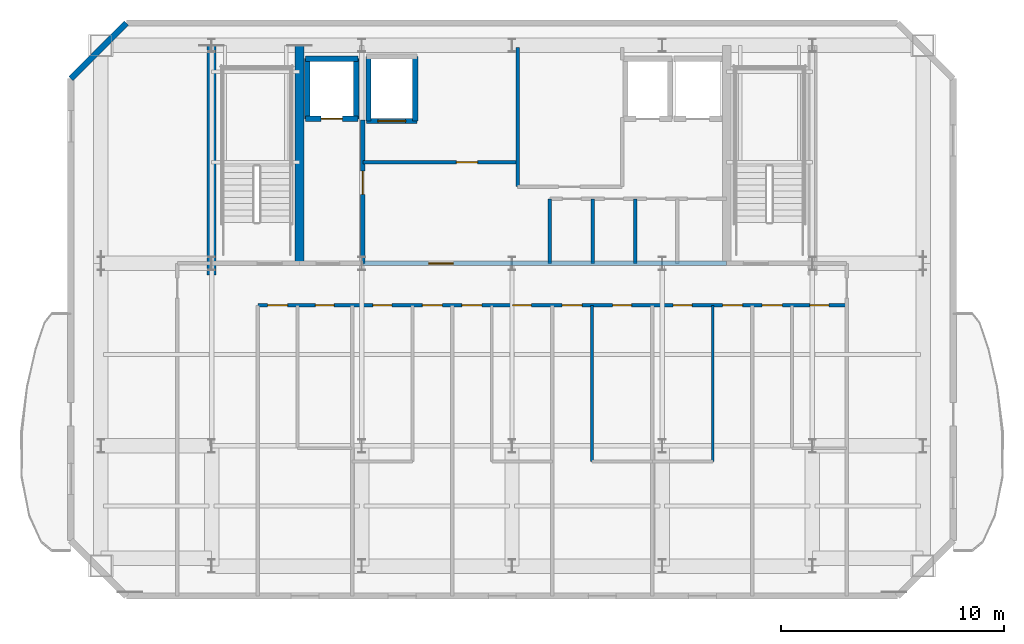
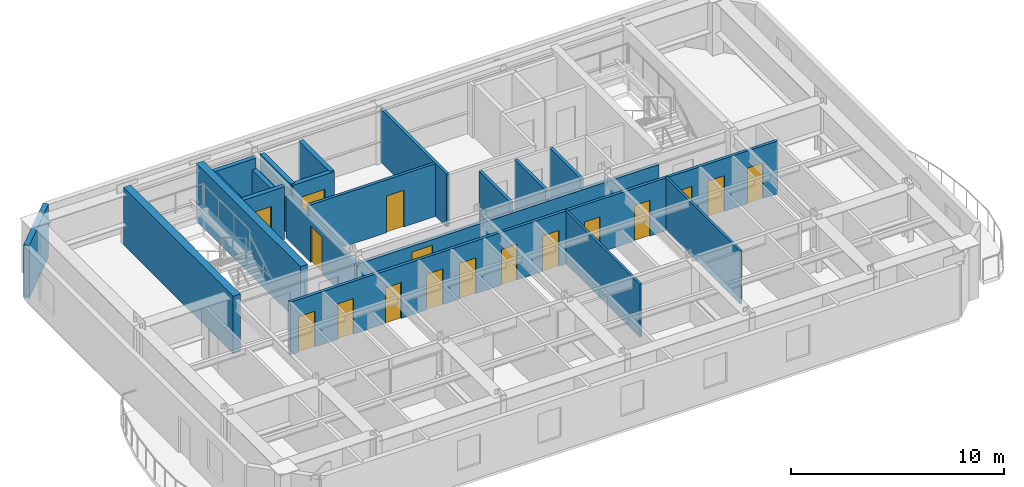
# One storey, part 3 of 6: 20 walls, 17 doors, 17 openings.
"""IFC4 building model written with IfcOpenShell, lengths in metres."""

from ifc_helpers import new_model, si_unit, direction, frame, frame_2d, origin, place, context, subcontext, project, spatial, rectangle, extrude, material, layer, layer_set, type_object, element, fill, save


model = new_model("IFC4")

# Units and contexts
model_context = context("Model", 3, precision=1e-05, world=origin(), true_north=direction((0.0, 1.0)))
body_context = subcontext(model_context, "Body", "Model", "MODEL_VIEW")
ifc_project = project(units=[si_unit("LENGTHUNIT", "METRE"), si_unit("AREAUNIT", "SQUARE_METRE"), si_unit("VOLUMEUNIT", "CUBIC_METRE"), si_unit("PLANEANGLEUNIT", "RADIAN"), si_unit("MASSUNIT", "GRAM", prefix="KILO")], contexts=[model_context])

# Site, building, storey
site_placement = place(None, origin())
site = spatial("IfcSite", under=ifc_project, at=site_placement, CompositionType="ELEMENT")
building_placement = place(site_placement, origin())
building = spatial("IfcBuilding", under=site, at=building_placement, Name="Haevon Station Towers", CompositionType="ELEMENT")
storey_placement = place(building_placement, frame((0.0, 0.0, 255.89990234375)))
storey = spatial("IfcBuildingStorey", under=building, at=storey_placement, Name="L71", CompositionType="ELEMENT", Elevation=255.89990234375)

# Wall, opening, door
ifc_material_1 = material(Name="Gypsum board on steel stud", Category="steel")
ifc_layer_1 = layer(ifc_material_1, 0.199951171875)
ifc_layer_set_1 = layer_set([ifc_layer_1], Name="Gypsum board on steel stud")
wall_type_1 = type_object("IfcWallType", Name="WL-COR200", PredefinedType="PARTITIONING", material=ifc_layer_set_1)
wall_1_placement = place(storey_placement, frame((30.800048828125, 38.199951171875, 0.0), z_axis=(0.0, 0.0, 1.0), x_axis=(0.0, 1.0, 0.0)))
wall_1 = element("IfcWall", 1, at=wall_1_placement, inside=storey, type_object=wall_type_1, Name="WL-T1FFL-L71-E", PredefinedType="PARTITIONING", context=body_context, shape_type="SweptSolid", body=[
    extrude(rectangle(XDim=6.449951171875, YDim=0.199951171875, at=frame_2d((3.22509765625, 0.0))), origin(), (0.0, 0.0, 1.0), 2.43017578125),
])
opening_1_placement = place(wall_1_placement, frame((3.10009765625, 0.0, 0.0)))
opening_1 = element("IfcOpeningElement", 2, at=opening_1_placement, cuts=wall_1, Name="Opening DR-T1FFL-L71-E", PredefinedType="OPENING", context=body_context, shape_type="SweptSolid", body=[
    extrude(rectangle(XDim=1.050048828125, YDim=2.10009765625, at=frame_2d((0.52490234375, 1.050048828125))), frame((0.0, 0.10986328125, 0.0), z_axis=(0.0, -1.0, 0.0), x_axis=(1.0, 0.0, 0.0)), (0.0, 0.0, 1.0), 0.219970703125),
])
ifc_material_2 = material(Name="Engineered oak timber", Category="wood")
door_type_1 = type_object("IfcDoorType", Name="DR-FD60-1050", OperationType="NOTDEFINED", PredefinedType="DOOR", material=ifc_material_2)
door_1_placement = place(opening_1_placement, origin())
door_1 = element("IfcDoor", 3, at=door_1_placement, inside=storey, type_object=door_type_1, Name="L71 Tower 1 Firefighting Lift Lobby Door E", OperationType="SINGLE_SWING_LEFT", OverallHeight=2.10009765625, OverallWidth=1.050048828125, PredefinedType="DOOR", context=body_context, shape_type="SweptSolid", body=[
    extrude(rectangle(XDim=1.050048828125, YDim=2.10009765625, at=frame_2d((0.52490234375, 1.050048828125))), frame((0.0, 0.02490234375, 0.0), z_axis=(0.0, -1.0, 0.0), x_axis=(1.0, 0.0, 0.0)), (0.0, 0.0, 1.0), 0.050048828125),
])
fill(opening_1, door_1)

wall_2_placement = place(storey_placement, frame((30.800048828125, 38.199951171875, 0.0), z_axis=(0.0, 0.0, 1.0), x_axis=(1.0, 0.0, 0.0)))
wall_2 = element("IfcWall", 4, at=wall_2_placement, inside=storey, type_object=wall_type_1, Name="WL-T1CLB-L71", PredefinedType="PARTITIONING", context=body_context, shape_type="SweptSolid", body=[
    extrude(rectangle(XDim=16.349853515625, YDim=0.199951171875, at=frame_2d((8.1748046875, 0.0))), origin(), (0.0, 0.0, 1.0), 2.43017578125),
])
opening_2_placement = place(wall_2_placement, frame((2.949951171875, 0.0, 0.0)))
opening_2 = element("IfcOpeningElement", 5, at=opening_2_placement, cuts=wall_2, Name="Opening DR-T1CLB-L71-1", PredefinedType="OPENING", context=body_context, shape_type="SweptSolid", body=[
    extrude(rectangle(XDim=1.1201171875, YDim=2.10009765625, at=frame_2d((0.56005859375, 1.050048828125))), frame((0.0, 0.10986328125, 0.0), z_axis=(0.0, -1.0, 0.0), x_axis=(1.0, 0.0, 0.0)), (0.0, 0.0, 1.0), 0.219970703125),
])
door_type_2 = type_object("IfcDoorType", Name="DR-ST-1120", OperationType="NOTDEFINED", PredefinedType="DOOR", material=ifc_material_2)
door_2_placement = place(opening_2_placement, origin())
door_2 = element("IfcDoor", 6, at=door_2_placement, inside=storey, type_object=door_type_2, Name="L71 Tower 1 Core Lift Lobby Door 1", OperationType="SINGLE_SWING_LEFT", OverallHeight=2.10009765625, OverallWidth=1.1201171875, PredefinedType="DOOR", context=body_context, shape_type="SweptSolid", body=[
    extrude(rectangle(XDim=1.1201171875, YDim=2.10009765625, at=frame_2d((0.56005859375, 1.050048828125))), frame((0.0, 0.02490234375, 0.0), z_axis=(0.0, -1.0, 0.0), x_axis=(1.0, 0.0, 0.0)), (0.0, 0.0, 1.0), 0.050048828125),
])
fill(opening_2, door_2)

# Walls
ifc_material_3 = material(Name="Concrete C60/75", Category="concrete")
ifc_layer_2 = layer(ifc_material_3, 0.39990234375)
ifc_layer_set_2 = layer_set([ifc_layer_2], Name="Concrete C60/75")
wall_type_2 = type_object("IfcWallType", Name="WL-CR400", PredefinedType="SHEAR", material=ifc_layer_set_2)
wall_3_placement = place(storey_placement, frame((24.0, 37.679931640625, 0.0), z_axis=(0.0, 0.0, 1.0), x_axis=(0.0, 1.0, 0.0)))
element("IfcWall", 7, at=wall_3_placement, inside=storey, type_object=wall_type_2, Name="WL-T1CR-L71-W", PredefinedType="SHEAR", context=body_context, shape_type="SweptSolid", body=[
    extrude(rectangle(XDim=10.320068359375, YDim=0.39990234375, at=frame_2d((5.16015625, 0.0))), origin(), (0.0, 0.0, 1.0), 3.300048828125),
])
wall_4_placement = place(storey_placement, frame((27.949951171875, 38.199951171875, 0.0), z_axis=(0.0, 0.0, 1.0), x_axis=(0.0, 1.0, 0.0)))
element("IfcWall", 8, at=wall_4_placement, inside=storey, type_object=wall_type_2, Name="WL-T1CR-L71-M1", PredefinedType="SHEAR", context=body_context, shape_type="SweptSolid", body=[
    extrude(rectangle(XDim=9.800048828125, YDim=0.39990234375, at=frame_2d((4.89990234375, 0.0))), origin(), (0.0, 0.0, 1.0), 3.300048828125),
])
ifc_material_4 = material(Name="Precast concrete C45/55", Category="concrete")
ifc_layer_3 = layer(ifc_material_4, 0.280029296875)
ifc_layer_set_3 = layer_set([ifc_layer_3], Name="Precast concrete C45/55")
wall_type_3 = type_object("IfcWallType", Name="WL-EXT-PIER280", PredefinedType="SOLIDWALL", material=ifc_layer_set_3)
wall_5_placement = place(storey_placement, frame((17.675048828125, 46.5, 0.0), z_axis=(0.0, 0.0, 1.0), x_axis=(0.707106781187, 0.707106781187, 0.0)))
element("IfcWall", 9, at=wall_5_placement, inside=storey, type_object=wall_type_3, Name="WL-T1-L71-NWC", PredefinedType="SOLIDWALL", context=body_context, shape_type="SweptSolid", body=[
    extrude(rectangle(XDim=3.53564453125, YDim=0.280029296875, at=frame_2d((1.767822265625, 0.0))), origin(), (0.0, 0.0, 1.0), 3.030029296875),
])
ifc_layer_4 = layer(ifc_material_1, 0.125)
ifc_layer_set_4 = layer_set([ifc_layer_4], Name="Gypsum board on steel stud")
wall_type_4 = type_object("IfcWallType", Name="WL-PRT125", PredefinedType="PARTITIONING", material=ifc_layer_set_4)
wall_6_placement = place(storey_placement, frame((41.089111328125, 29.29638671875, 0.0), z_axis=(0.0, 0.0, 1.0), x_axis=(0.0, 1.0, 0.0)))
element("IfcWall", 10, at=wall_6_placement, inside=storey, type_object=wall_type_4, Name="WL-T1PT-L71-16", PredefinedType="PARTITIONING", context=body_context, shape_type="SweptSolid", body=[
    extrude(rectangle(XDim=7.023681640625, YDim=0.125, at=frame_2d((3.51171875, 0.0))), origin(), (0.0, 0.0, 1.0), 3.030029296875),
])
wall_7_placement = place(storey_placement, frame((46.524658203125, 29.296630859375, 0.0), z_axis=(0.0, 0.0, 1.0), x_axis=(0.0, 1.0, 0.0)))
element("IfcWall", 11, at=wall_7_placement, inside=storey, type_object=wall_type_4, Name="WL-T1PT-L71-19", PredefinedType="PARTITIONING", context=body_context, shape_type="SweptSolid", body=[
    extrude(rectangle(XDim=7.0234375, YDim=0.125, at=frame_2d((3.51171875, 0.0))), origin(), (0.0, 0.0, 1.0), 3.030029296875),
])

# Wall, opening, door
ifc_layer_5 = layer(ifc_material_1, 0.159912109375)
ifc_layer_set_5 = layer_set([ifc_layer_5], Name="Gypsum board on steel stud")
wall_type_5 = type_object("IfcWallType", Name="WL-PRT160", PredefinedType="PARTITIONING", material=ifc_layer_set_5)
wall_8_placement = place(storey_placement, frame((30.800048828125, 42.75, 0.0), z_axis=(0.0, 0.0, 1.0), x_axis=(1.0, 0.0, 0.0)))
wall_8 = element("IfcWall", 12, at=wall_8_placement, inside=storey, type_object=wall_type_5, Name="WL-T1CW-L71-01", PredefinedType="PARTITIONING", context=body_context, shape_type="SweptSolid", body=[
    extrude(rectangle(XDim=6.949951171875, YDim=0.159912109375, at=frame_2d((3.47509765625, 0.0))), origin(), (0.0, 0.0, 1.0), 3.030029296875),
])
opening_3_placement = place(wall_8_placement, frame((4.199951171875, 0.0, 0.0)))
opening_3 = element("IfcOpeningElement", 13, at=opening_3_placement, cuts=wall_8, Name="Opening DR-WL-T1CW-L71-01-1", PredefinedType="OPENING", context=body_context, shape_type="SweptSolid", body=[
    extrude(rectangle(XDim=0.949951171875, YDim=2.10009765625, at=frame_2d((0.47509765625, 1.050048828125))), frame((0.0, 0.08984375, 0.0), z_axis=(0.0, -1.0, 0.0), x_axis=(1.0, 0.0, 0.0)), (0.0, 0.0, 1.0), 0.179931640625),
])
door_type_3 = type_object("IfcDoorType", Name="DR-FD60-950", OperationType="NOTDEFINED", PredefinedType="DOOR", material=ifc_material_2)
door_3_placement = place(opening_3_placement, origin())
door_3 = element("IfcDoor", 14, at=door_3_placement, inside=storey, type_object=door_type_3, Name="L71 Tower 1 Core Room Door 1-1", OperationType="SINGLE_SWING_LEFT", OverallHeight=2.10009765625, OverallWidth=0.949951171875, PredefinedType="DOOR", context=body_context, shape_type="SweptSolid", body=[
    extrude(rectangle(XDim=0.949951171875, YDim=2.10009765625, at=frame_2d((0.47509765625, 1.050048828125))), frame((0.0, 0.02490234375, 0.0), z_axis=(0.0, -1.0, 0.0), x_axis=(1.0, 0.0, 0.0)), (0.0, 0.0, 1.0), 0.050048828125),
])
fill(opening_3, door_3)

# Walls
wall_9_placement = place(storey_placement, frame((37.75, 41.64990234375, 0.0), z_axis=(0.0, 0.0, 1.0), x_axis=(0.0, 1.0, 0.0)))
element("IfcWall", 15, at=wall_9_placement, inside=storey, type_object=wall_type_5, Name="WL-T1CW-L71-02", PredefinedType="PARTITIONING", context=body_context, shape_type="SweptSolid", body=[
    extrude(rectangle(XDim=6.25, YDim=0.159912109375, at=frame_2d((3.125, 0.0))), origin(), (0.0, 0.0, 1.0), 3.030029296875),
])
for number, where, z_axis, x_axis, name in (
    (16, (39.199951171875, 38.199951171875, 0.0), (0.0, 0.0, 1.0), (0.0, 1.0, 0.0), "WL-T1CW-L71-06"),
    (17, (41.1298828125, 38.199951171875, 0.0), (0.0, 0.0, 1.0), (0.0, 1.0, 0.0), "WL-T1CW-L71-07"),
    (18, (43.030029296875, 38.199951171875, 0.0), (0.0, 0.0, 1.0), (0.0, 1.0, 0.0), "WL-T1CW-L71-08"),
):
    element("IfcWall", number, at=place(storey_placement, frame(where, z_axis=z_axis, x_axis=x_axis)), inside=storey, type_object=wall_type_5, Name=name, PredefinedType="PARTITIONING", context=body_context, shape_type="SweptSolid", body=[
        extrude(rectangle(XDim=2.900146484375, YDim=0.159912109375, at=frame_2d((1.4501953125, 0.0))), origin(), (0.0, 0.0, 1.0), 3.030029296875),
    ])

# Wall, openings, doors
wall_10_placement = place(storey_placement, frame((26.080078125, 36.320068359375, 0.0), z_axis=(0.0, 0.0, 1.0), x_axis=(1.0, 0.0, 0.0)))
wall_10 = element("IfcWall", 19, at=wall_10_placement, inside=storey, type_object=wall_type_5, Name="WL-T1PT-L71-23", PredefinedType="PARTITIONING", context=body_context, shape_type="SweptSolid", body=[
    extrude(rectangle(XDim=26.4580078125, YDim=0.159912109375, at=frame_2d((13.22900390625, 0.0))), origin(), (0.0, 0.0, 1.0), 3.030029296875),
])
opening_4_placement = place(wall_10_placement, frame((2.58203125, 0.0, 0.0)))
opening_4 = element("IfcOpeningElement", 20, at=opening_4_placement, cuts=wall_10, Name="Opening DR-WL-T1PT-L71-23-01", PredefinedType="OPENING", context=body_context, shape_type="SweptSolid", body=[
    extrude(rectangle(XDim=0.85009765625, YDim=2.050048828125, at=frame_2d((0.425048828125, 1.02490234375))), frame((0.0, 0.08984375, 0.0), z_axis=(0.0, -1.0, 0.0), x_axis=(1.0, 0.0, 0.0)), (0.0, 0.0, 1.0), 0.179931640625),
])
opening_5_placement = place(wall_10_placement, frame((0.43994140625, 0.0, 0.0)))
opening_5 = element("IfcOpeningElement", 21, at=opening_5_placement, cuts=wall_10, Name="Opening DR-WL-T1PT-L71-23-02", PredefinedType="OPENING", context=body_context, shape_type="SweptSolid", body=[
    extrude(rectangle(XDim=0.89990234375, YDim=2.050048828125, at=frame_2d((0.449951171875, 1.02490234375))), frame((0.0, 0.08984375, 0.0), z_axis=(0.0, -1.0, 0.0), x_axis=(1.0, 0.0, 0.0)), (0.0, 0.0, 1.0), 0.179931640625),
])
opening_6_placement = place(wall_10_placement, frame((5.1669921875, 0.0, 0.0)))
opening_6 = element("IfcOpeningElement", 22, at=opening_6_placement, cuts=wall_10, Name="Opening DR-WL-T1PT-L71-23-03", PredefinedType="OPENING", context=body_context, shape_type="SweptSolid", body=[
    extrude(rectangle(XDim=0.85009765625, YDim=2.050048828125, at=frame_2d((0.425048828125, 1.02490234375))), frame((0.0, 0.08984375, 0.0), z_axis=(0.0, -1.0, 0.0), x_axis=(1.0, 0.0, 0.0)), (0.0, 0.0, 1.0), 0.179931640625),
])
opening_7_placement = place(wall_10_placement, frame((7.39111328125, 0.0, 0.0)))
opening_7 = element("IfcOpeningElement", 23, at=opening_7_placement, cuts=wall_10, Name="Opening DR-WL-T1PT-L71-23-04", PredefinedType="OPENING", context=body_context, shape_type="SweptSolid", body=[
    extrude(rectangle(XDim=0.89990234375, YDim=2.050048828125, at=frame_2d((0.449951171875, 1.02490234375))), frame((0.0, 0.08984375, 0.0), z_axis=(0.0, -1.0, 0.0), x_axis=(1.0, 0.0, 0.0)), (0.0, 0.0, 1.0), 0.179931640625),
])
opening_8_placement = place(wall_10_placement, frame((11.445068359375, 0.0, 0.0)))
opening_8 = element("IfcOpeningElement", 24, at=opening_8_placement, cuts=wall_10, Name="Opening DR-WL-T1PT-L71-23-05", PredefinedType="OPENING", context=body_context, shape_type="SweptSolid", body=[
    extrude(rectangle(XDim=0.85009765625, YDim=2.050048828125, at=frame_2d((0.425048828125, 1.02490234375))), frame((0.0, 0.08984375, 0.0), z_axis=(0.0, -1.0, 0.0), x_axis=(1.0, 0.0, 0.0)), (0.0, 0.0, 1.0), 0.179931640625),
])
opening_9_placement = place(wall_10_placement, frame((9.1708984375, 0.0, 0.0)))
opening_9 = element("IfcOpeningElement", 25, at=opening_9_placement, cuts=wall_10, Name="Opening DR-WL-T1PT-L71-23-06", PredefinedType="OPENING", context=body_context, shape_type="SweptSolid", body=[
    extrude(rectangle(XDim=0.89990234375, YDim=2.050048828125, at=frame_2d((0.449951171875, 1.02490234375))), frame((0.0, 0.08984375, 0.0), z_axis=(0.0, -1.0, 0.0), x_axis=(1.0, 0.0, 0.0)), (0.0, 0.0, 1.0), 0.179931640625),
])
opening_10_placement = place(wall_10_placement, frame((15.943115234375, 0.0, 0.0)))
opening_10 = element("IfcOpeningElement", 26, at=opening_10_placement, cuts=wall_10, Name="Opening DR-WL-T1PT-L71-23-07", PredefinedType="OPENING", context=body_context, shape_type="SweptSolid", body=[
    extrude(rectangle(XDim=0.85009765625, YDim=2.050048828125, at=frame_2d((0.425048828125, 1.02490234375))), frame((0.0, 0.08984375, 0.0), z_axis=(0.0, -1.0, 0.0), x_axis=(1.0, 0.0, 0.0)), (0.0, 0.0, 1.0), 0.179931640625),
])
opening_11_placement = place(wall_10_placement, frame((13.6689453125, 0.0, 0.0)))
opening_11 = element("IfcOpeningElement", 27, at=opening_11_placement, cuts=wall_10, Name="Opening DR-WL-T1PT-L71-23-08", PredefinedType="OPENING", context=body_context, shape_type="SweptSolid", body=[
    extrude(rectangle(XDim=0.89990234375, YDim=2.050048828125, at=frame_2d((0.449951171875, 1.02490234375))), frame((0.0, 0.08984375, 0.0), z_axis=(0.0, -1.0, 0.0), x_axis=(1.0, 0.0, 0.0)), (0.0, 0.0, 1.0), 0.179931640625),
])
opening_12_placement = place(wall_10_placement, frame((18.660888671875, 0.0, 0.0)))
opening_12 = element("IfcOpeningElement", 28, at=opening_12_placement, cuts=wall_10, Name="Opening DR-WL-T1PT-L71-23-09", PredefinedType="OPENING", context=body_context, shape_type="SweptSolid", body=[
    extrude(rectangle(XDim=0.85009765625, YDim=2.050048828125, at=frame_2d((0.425048828125, 1.02490234375))), frame((0.0, 0.08984375, 0.0), z_axis=(0.0, -1.0, 0.0), x_axis=(1.0, 0.0, 0.0)), (0.0, 0.0, 1.0), 0.179931640625),
])
opening_13_placement = place(wall_10_placement, frame((20.885009765625, 0.0, 0.0)))
opening_13 = element("IfcOpeningElement", 29, at=opening_13_placement, cuts=wall_10, Name="Opening DR-WL-T1PT-L71-23-10", PredefinedType="OPENING", context=body_context, shape_type="SweptSolid", body=[
    extrude(rectangle(XDim=0.89990234375, YDim=2.050048828125, at=frame_2d((0.449951171875, 1.02490234375))), frame((0.0, 0.08984375, 0.0), z_axis=(0.0, -1.0, 0.0), x_axis=(1.0, 0.0, 0.0)), (0.0, 0.0, 1.0), 0.179931640625),
])
opening_14_placement = place(wall_10_placement, frame((24.805908203125, 0.0, 0.0)))
opening_14 = element("IfcOpeningElement", 30, at=opening_14_placement, cuts=wall_10, Name="Opening DR-WL-T1PT-L71-23-11", PredefinedType="OPENING", context=body_context, shape_type="SweptSolid", body=[
    extrude(rectangle(XDim=0.85009765625, YDim=2.050048828125, at=frame_2d((0.425048828125, 1.02490234375))), frame((0.0, 0.08984375, 0.0), z_axis=(0.0, -1.0, 0.0), x_axis=(1.0, 0.0, 0.0)), (0.0, 0.0, 1.0), 0.179931640625),
])
opening_15_placement = place(wall_10_placement, frame((22.6650390625, 0.0, 0.0)))
opening_15 = element("IfcOpeningElement", 31, at=opening_15_placement, cuts=wall_10, Name="Opening DR-WL-T1PT-L71-23-12", PredefinedType="OPENING", context=body_context, shape_type="SweptSolid", body=[
    extrude(rectangle(XDim=0.89990234375, YDim=2.050048828125, at=frame_2d((0.449951171875, 1.02490234375))), frame((0.0, 0.08984375, 0.0), z_axis=(0.0, -1.0, 0.0), x_axis=(1.0, 0.0, 0.0)), (0.0, 0.0, 1.0), 0.179931640625),
])
door_type_4 = type_object("IfcDoorType", Name="DR-FD30-850", OperationType="NOTDEFINED", PredefinedType="DOOR", material=ifc_material_2)
door_4_placement = place(opening_4_placement, origin())
door_4 = element("IfcDoor", 32, at=door_4_placement, inside=storey, type_object=door_type_4, Name="L71 Tower 1 Room Door 23-1", OperationType="SINGLE_SWING_LEFT", OverallHeight=2.050048828125, OverallWidth=0.85009765625, PredefinedType="DOOR", context=body_context, shape_type="SweptSolid", body=[
    extrude(rectangle(XDim=0.85009765625, YDim=2.050048828125, at=frame_2d((0.425048828125, 1.02490234375))), frame((0.0, 0.02490234375, 0.0), z_axis=(0.0, -1.0, 0.0), x_axis=(1.0, 0.0, 0.0)), (0.0, 0.0, 1.0), 0.050048828125),
])
fill(opening_4, door_4)
door_5_placement = place(opening_6_placement, origin())
door_5 = element("IfcDoor", 33, at=door_5_placement, inside=storey, type_object=door_type_4, Name="L71 Tower 1 Room Door 23-3", OperationType="SINGLE_SWING_LEFT", OverallHeight=2.050048828125, OverallWidth=0.85009765625, PredefinedType="DOOR", context=body_context, shape_type="SweptSolid", body=[
    extrude(rectangle(XDim=0.85009765625, YDim=2.050048828125, at=frame_2d((0.425048828125, 1.02490234375))), frame((0.0, 0.02490234375, 0.0), z_axis=(0.0, -1.0, 0.0), x_axis=(1.0, 0.0, 0.0)), (0.0, 0.0, 1.0), 0.050048828125),
])
fill(opening_6, door_5)
door_6_placement = place(opening_8_placement, origin())
door_6 = element("IfcDoor", 34, at=door_6_placement, inside=storey, type_object=door_type_4, Name="L71 Tower 1 Room Door 23-5", OperationType="SINGLE_SWING_LEFT", OverallHeight=2.050048828125, OverallWidth=0.85009765625, PredefinedType="DOOR", context=body_context, shape_type="SweptSolid", body=[
    extrude(rectangle(XDim=0.85009765625, YDim=2.050048828125, at=frame_2d((0.425048828125, 1.02490234375))), frame((0.0, 0.02490234375, 0.0), z_axis=(0.0, -1.0, 0.0), x_axis=(1.0, 0.0, 0.0)), (0.0, 0.0, 1.0), 0.050048828125),
])
fill(opening_8, door_6)
door_7_placement = place(opening_10_placement, origin())
door_7 = element("IfcDoor", 35, at=door_7_placement, inside=storey, type_object=door_type_4, Name="L71 Tower 1 Room Door 23-7", OperationType="SINGLE_SWING_LEFT", OverallHeight=2.050048828125, OverallWidth=0.85009765625, PredefinedType="DOOR", context=body_context, shape_type="SweptSolid", body=[
    extrude(rectangle(XDim=0.85009765625, YDim=2.050048828125, at=frame_2d((0.425048828125, 1.02490234375))), frame((0.0, 0.02490234375, 0.0), z_axis=(0.0, -1.0, 0.0), x_axis=(1.0, 0.0, 0.0)), (0.0, 0.0, 1.0), 0.050048828125),
])
fill(opening_10, door_7)
door_8_placement = place(opening_12_placement, origin())
door_8 = element("IfcDoor", 36, at=door_8_placement, inside=storey, type_object=door_type_4, Name="L71 Tower 1 Room Door 23-9", OperationType="SINGLE_SWING_LEFT", OverallHeight=2.050048828125, OverallWidth=0.85009765625, PredefinedType="DOOR", context=body_context, shape_type="SweptSolid", body=[
    extrude(rectangle(XDim=0.85009765625, YDim=2.050048828125, at=frame_2d((0.425048828125, 1.02490234375))), frame((0.0, 0.02490234375, 0.0), z_axis=(0.0, -1.0, 0.0), x_axis=(1.0, 0.0, 0.0)), (0.0, 0.0, 1.0), 0.050048828125),
])
fill(opening_12, door_8)
door_9_placement = place(opening_14_placement, origin())
door_9 = element("IfcDoor", 37, at=door_9_placement, inside=storey, type_object=door_type_4, Name="L71 Tower 1 Room Door 23-11", OperationType="SINGLE_SWING_LEFT", OverallHeight=2.050048828125, OverallWidth=0.85009765625, PredefinedType="DOOR", context=body_context, shape_type="SweptSolid", body=[
    extrude(rectangle(XDim=0.85009765625, YDim=2.050048828125, at=frame_2d((0.425048828125, 1.02490234375))), frame((0.0, 0.02490234375, 0.0), z_axis=(0.0, -1.0, 0.0), x_axis=(1.0, 0.0, 0.0)), (0.0, 0.0, 1.0), 0.050048828125),
])
fill(opening_14, door_9)
door_type_5 = type_object("IfcDoorType", Name="DR-INT-900", OperationType="NOTDEFINED", PredefinedType="DOOR", material=ifc_material_2)
door_10_placement = place(opening_5_placement, origin())
door_10 = element("IfcDoor", 38, at=door_10_placement, inside=storey, type_object=door_type_5, Name="L71 Tower 1 Room Door 23-2", OperationType="SINGLE_SWING_RIGHT", OverallHeight=2.050048828125, OverallWidth=0.89990234375, PredefinedType="DOOR", context=body_context, shape_type="SweptSolid", body=[
    extrude(rectangle(XDim=0.89990234375, YDim=2.050048828125, at=frame_2d((0.449951171875, 1.02490234375))), frame((0.0, 0.02490234375, 0.0), z_axis=(0.0, -1.0, 0.0), x_axis=(1.0, 0.0, 0.0)), (0.0, 0.0, 1.0), 0.050048828125),
])
fill(opening_5, door_10)
door_11_placement = place(opening_7_placement, origin())
door_11 = element("IfcDoor", 39, at=door_11_placement, inside=storey, type_object=door_type_5, Name="L71 Tower 1 Room Door 23-4", OperationType="SINGLE_SWING_RIGHT", OverallHeight=2.050048828125, OverallWidth=0.89990234375, PredefinedType="DOOR", context=body_context, shape_type="SweptSolid", body=[
    extrude(rectangle(XDim=0.89990234375, YDim=2.050048828125, at=frame_2d((0.449951171875, 1.02490234375))), frame((0.0, 0.02490234375, 0.0), z_axis=(0.0, -1.0, 0.0), x_axis=(1.0, 0.0, 0.0)), (0.0, 0.0, 1.0), 0.050048828125),
])
fill(opening_7, door_11)
door_12_placement = place(opening_9_placement, origin())
door_12 = element("IfcDoor", 40, at=door_12_placement, inside=storey, type_object=door_type_5, Name="L71 Tower 1 Room Door 23-6", OperationType="SINGLE_SWING_RIGHT", OverallHeight=2.050048828125, OverallWidth=0.89990234375, PredefinedType="DOOR", context=body_context, shape_type="SweptSolid", body=[
    extrude(rectangle(XDim=0.89990234375, YDim=2.050048828125, at=frame_2d((0.449951171875, 1.02490234375))), frame((0.0, 0.02490234375, 0.0), z_axis=(0.0, -1.0, 0.0), x_axis=(1.0, 0.0, 0.0)), (0.0, 0.0, 1.0), 0.050048828125),
])
fill(opening_9, door_12)
door_13_placement = place(opening_11_placement, origin())
door_13 = element("IfcDoor", 41, at=door_13_placement, inside=storey, type_object=door_type_5, Name="L71 Tower 1 Room Door 23-8", OperationType="SINGLE_SWING_RIGHT", OverallHeight=2.050048828125, OverallWidth=0.89990234375, PredefinedType="DOOR", context=body_context, shape_type="SweptSolid", body=[
    extrude(rectangle(XDim=0.89990234375, YDim=2.050048828125, at=frame_2d((0.449951171875, 1.02490234375))), frame((0.0, 0.02490234375, 0.0), z_axis=(0.0, -1.0, 0.0), x_axis=(1.0, 0.0, 0.0)), (0.0, 0.0, 1.0), 0.050048828125),
])
fill(opening_11, door_13)
door_14_placement = place(opening_13_placement, origin())
door_14 = element("IfcDoor", 42, at=door_14_placement, inside=storey, type_object=door_type_5, Name="L71 Tower 1 Room Door 23-10", OperationType="SINGLE_SWING_RIGHT", OverallHeight=2.050048828125, OverallWidth=0.89990234375, PredefinedType="DOOR", context=body_context, shape_type="SweptSolid", body=[
    extrude(rectangle(XDim=0.89990234375, YDim=2.050048828125, at=frame_2d((0.449951171875, 1.02490234375))), frame((0.0, 0.02490234375, 0.0), z_axis=(0.0, -1.0, 0.0), x_axis=(1.0, 0.0, 0.0)), (0.0, 0.0, 1.0), 0.050048828125),
])
fill(opening_13, door_14)
door_15_placement = place(opening_15_placement, origin())
door_15 = element("IfcDoor", 43, at=door_15_placement, inside=storey, type_object=door_type_5, Name="L71 Tower 1 Room Door 23-12", OperationType="SINGLE_SWING_RIGHT", OverallHeight=2.050048828125, OverallWidth=0.89990234375, PredefinedType="DOOR", context=body_context, shape_type="SweptSolid", body=[
    extrude(rectangle(XDim=0.89990234375, YDim=2.050048828125, at=frame_2d((0.449951171875, 1.02490234375))), frame((0.0, 0.02490234375, 0.0), z_axis=(0.0, -1.0, 0.0), x_axis=(1.0, 0.0, 0.0)), (0.0, 0.0, 1.0), 0.050048828125),
])
fill(opening_15, door_15)

# Wall, opening, door
ifc_material_5 = material(Name="Concrete C40/50", Category="concrete")
ifc_layer_6 = layer(ifc_material_5, 0.239990234375)
ifc_layer_set_6 = layer_set([ifc_layer_6], Name="Concrete C40/50")
wall_type_6 = type_object("IfcWallType", Name="WL-SHF240", PredefinedType="PARTITIONING", material=ifc_layer_set_6)
wall_11_placement = place(storey_placement, frame((28.219970703125, 44.699951171875, 0.0), z_axis=(0.0, 0.0, 1.0), x_axis=(1.0, 0.0, 0.0)))
wall_11 = element("IfcWall", 44, at=wall_11_placement, inside=storey, type_object=wall_type_6, Name="WL-SHF-FL1-L71", PredefinedType="PARTITIONING", context=body_context, shape_type="SweptSolid", body=[
    extrude(rectangle(XDim=2.360107421875, YDim=0.239990234375, at=frame_2d((1.18017578125, 0.0))), origin(), (0.0, 0.0, 1.0), 3.030029296875),
])
opening_16_placement = place(wall_11_placement, frame((0.705078125, 0.0, 0.0)))
opening_16 = element("IfcOpeningElement", 45, at=opening_16_placement, cuts=wall_11, Name="Opening LD-FL1-L71", PredefinedType="OPENING", context=body_context, shape_type="SweptSolid", body=[
    extrude(rectangle(XDim=0.949951171875, YDim=2.14990234375, at=frame_2d((0.47509765625, 1.074951171875))), frame((0.0, 0.1298828125, 0.0), z_axis=(0.0, -1.0, 0.0), x_axis=(1.0, 0.0, 0.0)), (0.0, 0.0, 1.0), 0.260009765625),
])
ifc_material_6 = material(Name="Stainless steel and rated core", Category="steel")
door_type_6 = type_object("IfcDoorType", Name="LD-FL950", OperationType="SLIDING_TO_LEFT", PredefinedType="DOOR", material=ifc_material_6)
door_16_placement = place(opening_16_placement, origin())
door_16 = element("IfcDoor", 46, at=door_16_placement, inside=storey, type_object=door_type_6, Name="L71 Lift FL1 Sliding Landing Door", OperationType="SLIDING_TO_LEFT", OverallHeight=2.14990234375, OverallWidth=0.949951171875, PredefinedType="DOOR", context=body_context, shape_type="SweptSolid", body=[
    extrude(rectangle(XDim=0.949951171875, YDim=2.14990234375, at=frame_2d((0.47509765625, 1.074951171875))), frame((0.0, 0.02490234375, 0.0), z_axis=(0.0, -1.0, 0.0), x_axis=(1.0, 0.0, 0.0)), (0.0, 0.0, 1.0), 0.050048828125),
])
fill(opening_16, door_16)

# Walls
wall_12_placement = place(storey_placement, frame((28.219970703125, 47.39990234375, 0.0), z_axis=(0.0, 0.0, 1.0), x_axis=(1.0, 0.0, 0.0)))
element("IfcWall", 47, at=wall_12_placement, inside=storey, type_object=wall_type_6, Name="WL-SHF-FL1-L71-N", PredefinedType="PARTITIONING", context=body_context, shape_type="SweptSolid", body=[
    extrude(rectangle(XDim=2.360107421875, YDim=0.239990234375, at=frame_2d((1.18017578125, 0.0))), origin(), (0.0, 0.0, 1.0), 3.030029296875),
])
wall_13_placement = place(storey_placement, frame((28.300048828125, 44.699951171875, 0.0), z_axis=(0.0, 0.0, 1.0), x_axis=(0.0, 1.0, 0.0)))
element("IfcWall", 48, at=wall_13_placement, inside=storey, type_object=wall_type_6, Name="WL-SHF-FL1-L71-W", PredefinedType="PARTITIONING", context=body_context, shape_type="SweptSolid", body=[
    extrude(rectangle(XDim=2.699951171875, YDim=0.239990234375, at=frame_2d((1.35009765625, 0.0))), origin(), (0.0, 0.0, 1.0), 3.030029296875),
])
wall_14_placement = place(storey_placement, frame((30.5, 44.699951171875, 0.0), z_axis=(0.0, 0.0, 1.0), x_axis=(0.0, 1.0, 0.0)))
element("IfcWall", 49, at=wall_14_placement, inside=storey, type_object=wall_type_6, Name="WL-SHF-FL1-L71-E", PredefinedType="PARTITIONING", context=body_context, shape_type="SweptSolid", body=[
    extrude(rectangle(XDim=2.699951171875, YDim=0.239990234375, at=frame_2d((1.35009765625, 0.0))), origin(), (0.0, 0.0, 1.0), 2.43017578125),
])

# Wall, opening, door
wall_15_placement = place(storey_placement, frame((30.969970703125, 44.60009765625, 0.0), z_axis=(0.0, 0.0, 1.0), x_axis=(1.0, 0.0, 0.0)))
wall_15 = element("IfcWall", 50, at=wall_15_placement, inside=storey, type_object=wall_type_6, Name="WL-SHF-SL1-L71", PredefinedType="PARTITIONING", context=body_context, shape_type="SweptSolid", body=[
    extrude(rectangle(XDim=2.260009765625, YDim=0.239990234375, at=frame_2d((1.1298828125, 0.0))), origin(), (0.0, 0.0, 1.0), 3.030029296875),
])
opening_17_placement = place(wall_15_placement, frame((0.5048828125, 0.0, 0.0)))
opening_17 = element("IfcOpeningElement", 51, at=opening_17_placement, cuts=wall_15, Name="Opening LD-SL1-L71", PredefinedType="OPENING", context=body_context, shape_type="SweptSolid", body=[
    extrude(rectangle(XDim=1.25, YDim=2.199951171875, at=frame_2d((0.625, 1.10009765625))), frame((0.0, 0.1298828125, 0.0), z_axis=(0.0, -1.0, 0.0), x_axis=(1.0, 0.0, 0.0)), (0.0, 0.0, 1.0), 0.260009765625),
])
door_type_7 = type_object("IfcDoorType", Name="LD-SL1250", OperationType="SLIDING_TO_LEFT", PredefinedType="DOOR", material=ifc_material_6)
door_17_placement = place(opening_17_placement, origin())
door_17 = element("IfcDoor", 52, at=door_17_placement, inside=storey, type_object=door_type_7, Name="L71 Lift SL1 Sliding Landing Door", OperationType="SLIDING_TO_LEFT", OverallHeight=2.199951171875, OverallWidth=1.25, PredefinedType="DOOR", context=body_context, shape_type="SweptSolid", body=[
    extrude(rectangle(XDim=1.25, YDim=2.199951171875, at=frame_2d((0.625, 1.10009765625))), frame((0.0, 0.02490234375, 0.0), z_axis=(0.0, -1.0, 0.0), x_axis=(1.0, 0.0, 0.0)), (0.0, 0.0, 1.0), 0.050048828125),
])
fill(opening_17, door_17)

# Walls
for number, where, z_axis, x_axis, name in (
    (53, (31.050048828125, 44.60009765625, 0.0), (0.0, 0.0, 1.0), (0.0, 1.0, 0.0), "WL-SHF-SL1-L71-W"),
    (54, (33.14990234375, 44.60009765625, 0.0), (0.0, 0.0, 1.0), (0.0, 1.0, 0.0), "WL-SHF-SL1-L71-E"),
):
    element("IfcWall", number, at=place(storey_placement, frame(where, z_axis=z_axis, x_axis=x_axis)), inside=storey, type_object=wall_type_6, Name=name, PredefinedType="PARTITIONING", context=body_context, shape_type="SweptSolid", body=[
        extrude(rectangle(XDim=2.89990234375, YDim=0.239990234375, at=frame_2d((1.449951171875, 0.0))), origin(), (0.0, 0.0, 1.0), 3.030029296875),
    ])

save(model, "model.ifc")
